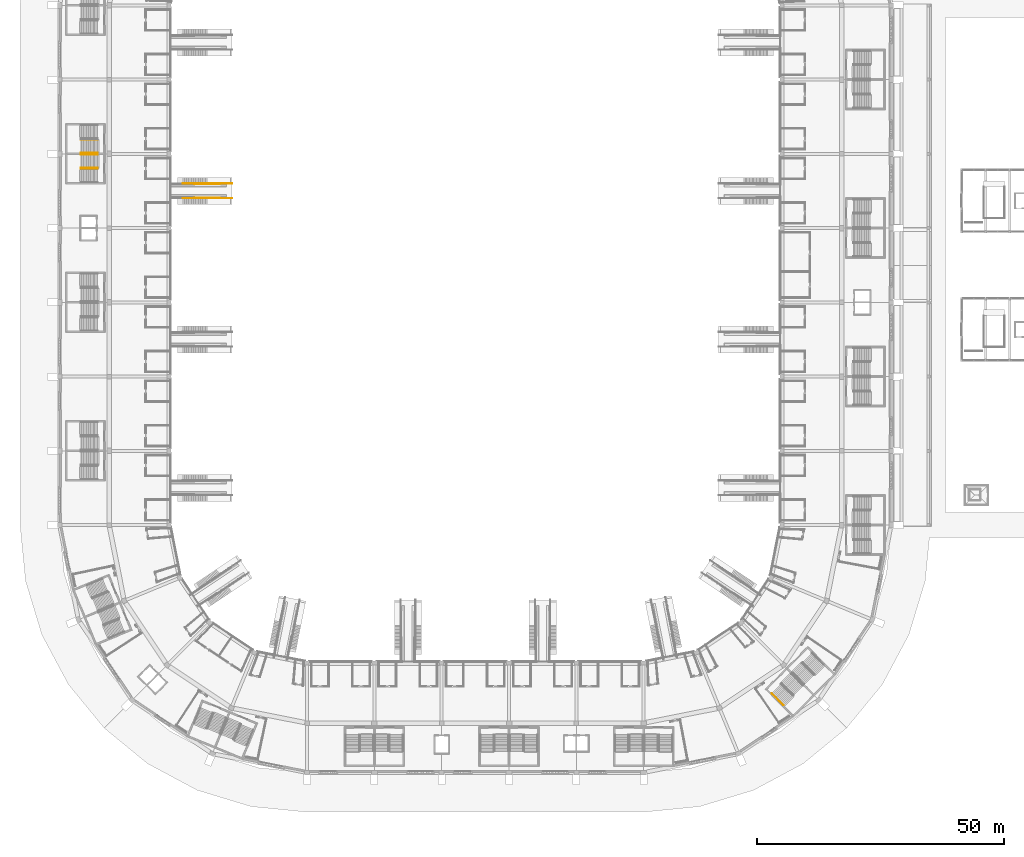
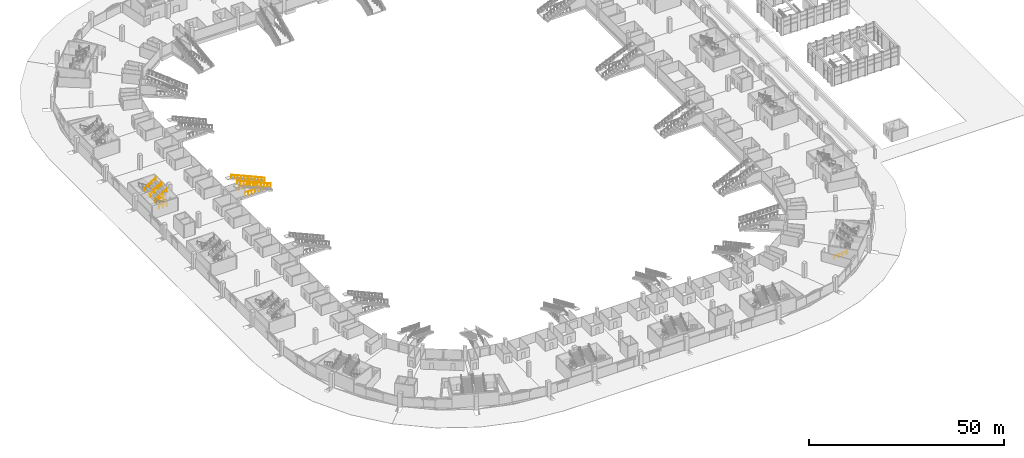
# One storey, part 159 of 175: 13 railings.
"""IFC4 building model written with IfcOpenShell, lengths in metres."""

from ifc_helpers import new_model, si_unit, direction, frame, origin, origin_2d, place, context, subcontext, project, spatial, circle, extrude, material, type_object, element, save


model = new_model("IFC4")

# Units and contexts
model_context = context("Model", 3, precision=1e-05, world=origin(), true_north=direction((0.0, 1.0)))
body_context = subcontext(model_context, "Body", "Model", "MODEL_VIEW")
ifc_project = project(units=[si_unit("LENGTHUNIT", "METRE"), si_unit("AREAUNIT", "SQUARE_METRE"), si_unit("VOLUMEUNIT", "CUBIC_METRE"), si_unit("PLANEANGLEUNIT", "RADIAN"), si_unit("MASSUNIT", "GRAM", prefix="KILO")], contexts=[model_context])

# Site, building, storey
site_placement = place(None, origin())
site = spatial("IfcSite", under=ifc_project, at=site_placement, CompositionType="ELEMENT")
building_placement = place(site_placement, origin())
building = spatial("IfcBuilding", under=site, at=building_placement, Name="Ogive Plaza Stadium", CompositionType="ELEMENT")
storey_placement = place(building_placement, origin())
storey = spatial("IfcBuildingStorey", under=building, at=storey_placement, Name="L00", CompositionType="ELEMENT", Elevation=0.0)

# Railings
ifc_material_1 = material(Name="Steel ASTM A572 Grade 50", Category="steel")
railing_type_1 = type_object("IfcRailingType", Name="Guard 1100", PredefinedType="GUARDRAIL", material=ifc_material_1)
for number, where, name in (
    (1, (-76.35009765625, 19.52490234375, 0.0), "Stair well guard ST26B L00"),
    (2, (-77.31005859375, 19.52490234375, 2.25), "Stair well guard ST26B L00"),
):
    element("IfcRailing", number, at=place(storey_placement, frame(where)), inside=storey, type_object=railing_type_1, Name=name, PredefinedType="GUARDRAIL", context=body_context, shape_type="SweptSolid", body=[
        extrude(circle(Radius=0.02392578125, at=origin_2d()), frame((0.0, 0.0, 1.076171875), z_axis=(-1.0, 0.0, 0.0), x_axis=(0.0, -1.0, 0.0)), (0.0, 0.0, 1.0), 2.39990234375),
        extrude(circle(Radius=0.02099609375, at=origin_2d()), origin(), (0.0, 0.0, 1.0), 1.052001953125),
        extrude(circle(Radius=0.02099609375, at=origin_2d()), frame((-1.199951171875, 0.0, 0.0)), (0.0, 0.0, 1.0), 1.052001953125),
        extrude(circle(Radius=0.02099609375, at=origin_2d()), frame((-2.39990234375, 0.0, 0.0)), (0.0, 0.0, 1.0), 1.052001953125),
    ])
for number, where, name in (
    (3, (-49.14990234375, 16.5, 0.125), "Vomitory guard B25"),
    (4, (-54.25, 16.5, 2.375), "Vomitory guard B25"),
    (5, (-49.14990234375, 13.5, 0.125), "Vomitory guard B25"),
    (6, (-54.25, 13.5, 2.375), "Vomitory guard B25"),
):
    element("IfcRailing", number, at=place(storey_placement, frame(where)), inside=storey, type_object=railing_type_1, Name=name, PredefinedType="GUARDRAIL", context=body_context, shape_type="SweptSolid", body=[
        extrude(circle(Radius=0.02392578125, at=origin_2d()), frame((0.0, 0.0, 1.076171875), z_axis=(-0.914917297869, 0.0, 0.403641348302), x_axis=(0.0, -1.0, 0.0)), (0.0, 0.0, 1.0), 5.2646484375),
        extrude(circle(Radius=0.02099609375, at=origin_2d()), origin(), (0.0, 0.0, 1.0), 1.052001953125),
        extrude(circle(Radius=0.02099609375, at=origin_2d()), frame((-0.96337890625, 0.0, 0.425048828125)), (0.0, 0.0, 1.0), 1.052001953125),
        extrude(circle(Radius=0.02099609375, at=origin_2d()), frame((-1.9267578125, 0.0, 0.85009765625)), (0.0, 0.0, 1.0), 1.052001953125),
        extrude(circle(Radius=0.02099609375, at=origin_2d()), frame((-2.889892578125, 0.0, 1.27490234375)), (0.0, 0.0, 1.0), 1.052001953125),
        extrude(circle(Radius=0.02099609375, at=origin_2d()), frame((-3.853271484375, 0.0, 1.699951171875)), (0.0, 0.0, 1.0), 1.052001953125),
        extrude(circle(Radius=0.02099609375, at=origin_2d()), frame((-4.816650390625, 0.0, 2.125)), (0.0, 0.0, 1.0), 1.052001953125),
    ])
for number, where, name in (
    (7, (-51.643310546875, 16.419921875, 0.0), "Vomitory edge guard B25"),
    (8, (-51.643310546875, 13.580078125, 0.0), "Vomitory edge guard B25"),
):
    element("IfcRailing", number, at=place(storey_placement, frame(where)), inside=storey, type_object=railing_type_1, Name=name, PredefinedType="GUARDRAIL", context=body_context, shape_type="SweptSolid", body=[
        extrude(circle(Radius=0.02392578125, at=origin_2d()), frame((0.0, 0.0, 1.076171875), z_axis=(-1.0, 0.0, 0.0), x_axis=(0.0, -1.0, 0.0)), (0.0, 0.0, 1.0), 5.15673828125),
        extrude(circle(Radius=0.02099609375, at=origin_2d()), origin(), (0.0, 0.0, 1.0), 1.052001953125),
        extrude(circle(Radius=0.02099609375, at=origin_2d()), frame((-1.03125, 0.0, 0.0)), (0.0, 0.0, 1.0), 1.052001953125),
        extrude(circle(Radius=0.02099609375, at=origin_2d()), frame((-2.062744140625, 0.0, 0.0)), (0.0, 0.0, 1.0), 1.052001953125),
        extrude(circle(Radius=0.02099609375, at=origin_2d()), frame((-3.093994140625, 0.0, 0.0)), (0.0, 0.0, 1.0), 1.052001953125),
        extrude(circle(Radius=0.02099609375, at=origin_2d()), frame((-4.12548828125, 0.0, 0.0)), (0.0, 0.0, 1.0), 1.052001953125),
        extrude(circle(Radius=0.02099609375, at=origin_2d()), frame((-5.15673828125, 0.0, 0.0)), (0.0, 0.0, 1.0), 1.052001953125),
    ])
ifc_material_2 = material(Name="Steel ASTM A572 Grade 50", Category="steel")
railing_type_2 = type_object("IfcRailingType", Name="Handrail 900", PredefinedType="HANDRAIL", material=ifc_material_2)
railing_placement = place(storey_placement, frame((59.869384765625, -86.5224609375, 0.173095703125)))
element("IfcRailing", 9, at=railing_placement, inside=storey, type_object=railing_type_2, Name="Handrail ST10A L00", PredefinedType="HANDRAIL", context=body_context, shape_type="SweptSolid", body=[
    extrude(circle(Radius=0.02392578125, at=origin_2d()), frame((0.0, 0.0, 0.8759765625), z_axis=(0.601482971545, -0.601482971545, 0.525772260474), x_axis=(0.707106781187, 0.707106781187, 0.0)), (0.0, 0.0, 1.0), 3.9501953125),
    extrude(circle(Radius=0.02099609375, at=origin_2d()), origin(), (0.0, 0.0, 1.0), 0.851806640625),
    extrude(circle(Radius=0.02099609375, at=origin_2d()), frame((0.7919921875, -0.7919921875, 0.6923828125)), (0.0, 0.0, 1.0), 0.851806640625),
    extrude(circle(Radius=0.02099609375, at=origin_2d()), frame((1.583984375, -1.583984375, 1.384521484375)), (0.0, 0.0, 1.0), 0.851806640625),
    extrude(circle(Radius=0.02099609375, at=origin_2d()), frame((2.3759765625, -2.3759765625, 2.076904296875)), (0.0, 0.0, 1.0), 1.10009765625),
])
for number, where, name in (
    (10, (-79.7099609375, 25.364990234375, 2.423095703125), "Handrail ST26A L00"),
    (11, (-79.7099609375, 22.68505859375, 2.423095703125), "Handrail ST26A L00"),
    (12, (-79.7099609375, 22.31494140625, 2.423095703125), "Handrail ST26B L00"),
    (13, (-79.7099609375, 19.635009765625, 2.423095703125), "Handrail ST26B L00"),
):
    element("IfcRailing", number, at=place(storey_placement, frame(where)), inside=storey, type_object=railing_type_2, Name=name, PredefinedType="HANDRAIL", context=body_context, shape_type="SweptSolid", body=[
        extrude(circle(Radius=0.02392578125, at=origin_2d()), frame((0.0, 0.0, 0.8759765625), z_axis=(0.850606129759, 0.0, 0.525803396734), x_axis=(0.0, 1.0, 0.0)), (0.0, 0.0, 1.0), 3.949951171875),
        extrude(circle(Radius=0.02099609375, at=origin_2d()), origin(), (0.0, 0.0, 1.0), 0.851806640625),
        extrude(circle(Radius=0.02099609375, at=origin_2d()), frame((1.119873046875, 0.0, 0.6923828125)), (0.0, 0.0, 1.0), 0.851806640625),
        extrude(circle(Radius=0.02099609375, at=origin_2d()), frame((2.239990234375, 0.0, 1.384521484375)), (0.0, 0.0, 1.0), 0.851806640625),
        extrude(circle(Radius=0.02099609375, at=origin_2d()), frame((3.35986328125, 0.0, 2.076904296875)), (0.0, 0.0, 1.0), 1.10009765625),
    ])

save(model, "model.ifc")
